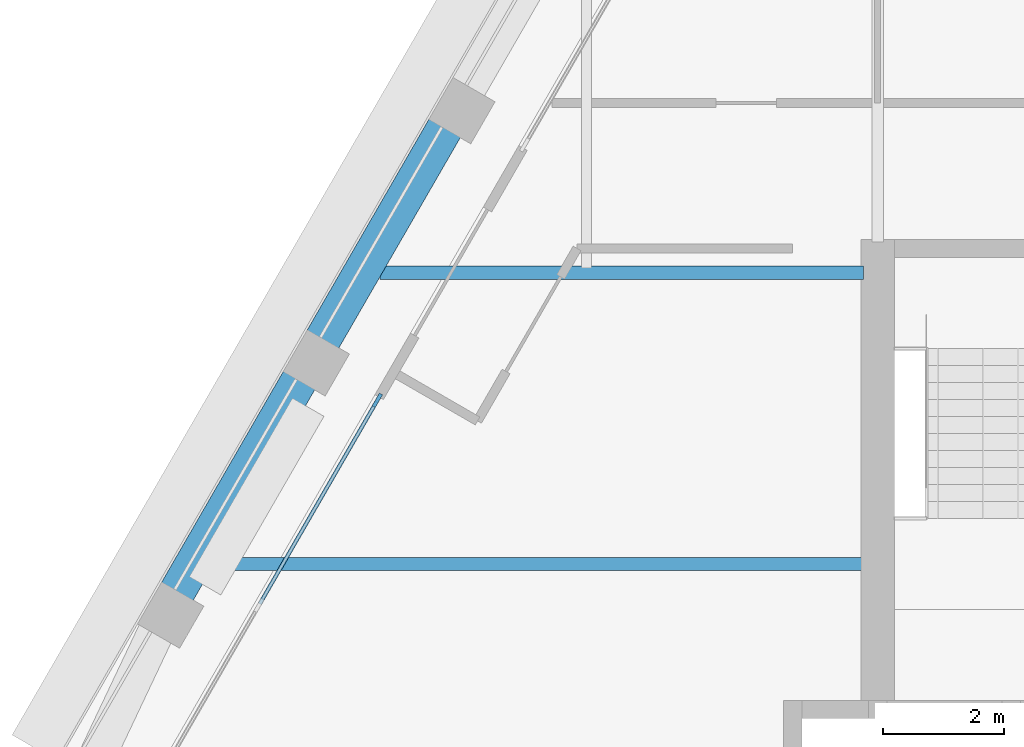
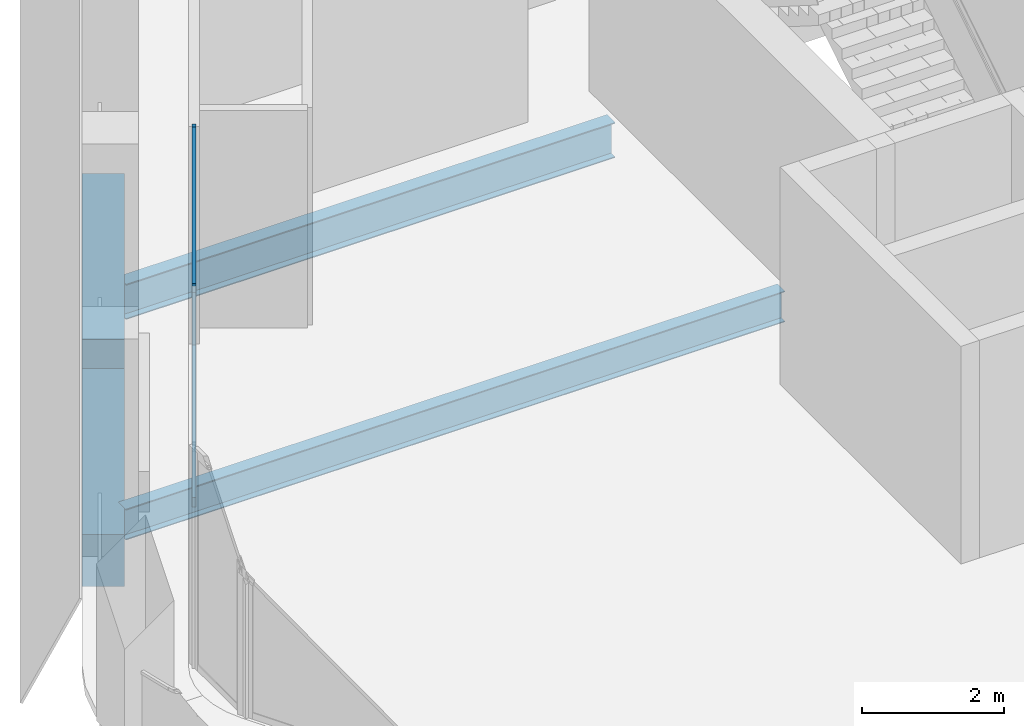
# One storey, part 3 of 14: 4 beams, 3 members, 1 element without a shape of its own.
"""IFC4 building model written with IfcOpenShell, lengths in metres."""

from ifc_helpers import new_model, si_unit, direction, frame, origin, origin_2d, place, context, subcontext, project, spatial, rectangle, i_section, extrude, material, material_profile, profile_set, type_object, element, aggregate, save


model = new_model("IFC4")

# Units and contexts
model_context = context("Model", 3, precision=1e-05, world=origin(), true_north=direction((0.0, 1.0)))
body_context = subcontext(model_context, "Body", "Model", "MODEL_VIEW")
ifc_project = project(units=[si_unit("LENGTHUNIT", "METRE"), si_unit("AREAUNIT", "SQUARE_METRE"), si_unit("VOLUMEUNIT", "CUBIC_METRE"), si_unit("PLANEANGLEUNIT", "RADIAN"), si_unit("MASSUNIT", "GRAM", prefix="KILO")], contexts=[model_context])

# Site, building, storey
site_placement = place(None, origin())
site = spatial("IfcSite", under=ifc_project, at=site_placement, CompositionType="ELEMENT")
building_placement = place(site_placement, origin())
building = spatial("IfcBuilding", under=site, at=building_placement, Name="Kolab Exchange Tower", CompositionType="ELEMENT")
storey_placement = place(building_placement, frame((0.0, 0.0, 261.800048828125)))
storey = spatial("IfcBuildingStorey", under=building, at=storey_placement, Name="L58", CompositionType="ELEMENT", Elevation=261.800048828125)

# Beams
ifc_material_1 = material(Name="Steel S355", Category="steel")
ifc_material_profile_1 = material_profile(ifc_material_1, i_section(OverallWidth=0.208984375, OverallDepth=0.532958984375, WebThickness=0.01025390625, FlangeThickness=0.015625, at=origin_2d()), Name="W530X92")
ifc_profile_set_1 = profile_set([ifc_material_profile_1], Name="Steel S355")
beam_type_1 = type_object("IfcBeamType", Name="FLOOR BEAM W530X92", PredefinedType="BEAM", material=ifc_profile_set_1)
beam_1_placement = place(storey_placement, frame((-20.575927734375, 4.800048828125, -0.41650390625), z_axis=(1.0, 0.0, 0.0), x_axis=(0.0, 1.0, 0.0)))
element("IfcBeam", 1, at=beam_1_placement, inside=storey, type_object=beam_type_1, Name="beam/L58/fr/002", PredefinedType="BEAM", context=body_context, shape_type="SweptSolid", body=[
    extrude(i_section(OverallWidth=0.208984375, OverallDepth=0.532958984375, WebThickness=0.01025390625, FlangeThickness=0.015625, at=origin_2d()), origin(), (0.0, 0.0, 1.0), 10.740966796875),
])
ifc_material_profile_2 = material_profile(ifc_material_1, i_section(OverallWidth=0.22802734375, OverallDepth=0.60791015625, WebThickness=0.01123046875, FlangeThickness=0.017333984375, at=origin_2d()), Name="W610X113")
ifc_profile_set_2 = profile_set([ifc_material_profile_2], Name="Steel S355")
beam_type_2 = type_object("IfcBeamType", Name="FLOOR GIRDER W610X113", PredefinedType="BEAM", material=ifc_profile_set_2)
beam_2_placement = place(storey_placement, frame((-17.8046875, 9.60009765625, -0.4541015625), z_axis=(1.0, 0.0, 0.0), x_axis=(0.0, 1.0, 0.0)))
element("IfcBeam", 2, at=beam_2_placement, inside=storey, type_object=beam_type_2, Name="beam/L58/gd/001", PredefinedType="BEAM", context=body_context, shape_type="SweptSolid", body=[
    extrude(i_section(OverallWidth=0.22802734375, OverallDepth=0.60791015625, WebThickness=0.01123046875, FlangeThickness=0.017333984375, at=origin_2d()), origin(), (0.0, 0.0, 1.0), 7.9697265625),
])
ifc_material_2 = material(Name="Concrete C50/60", Category="concrete")
ifc_material_profile_3 = material_profile(ifc_material_2, rectangle(XDim=0.60009765625, YDim=0.89990234375, at=origin_2d()), Name="RC600X900")
ifc_profile_set_3 = profile_set([ifc_material_profile_3], Name="Concrete C50/60")
beam_type_3 = type_object("IfcBeamType", Name="SPANDREL BEAM 600X900 C50/60", PredefinedType="BEAM", material=ifc_profile_set_3)
for number, where, z_axis, x_axis, name in (
    (3, (-21.16015625, 4.318603515625, -0.60009765625), (0.500000428765, 0.866025156237, 0.0), (-0.866025156237, 0.500000428765, 0.0), "beam/L58/sp/F6-02"),
    (4, (-18.76025390625, 8.4755859375, -0.60009765625), (0.500000428765, 0.866025156237, 0.0), (-0.866025156237, 0.500000428765, 0.0), "beam/L58/sp/F6-03"),
):
    element("IfcBeam", number, at=place(storey_placement, frame(where, z_axis=z_axis, x_axis=x_axis)), inside=storey, type_object=beam_type_3, Name=name, PredefinedType="BEAM", context=body_context, shape_type="SweptSolid", body=[
        extrude(rectangle(XDim=0.60009765625, YDim=0.89990234375, at=origin_2d()), origin(), (0.0, 0.0, 1.0), 4.080078125),
    ])

# Curtain wall, members
ifc_material_3 = material(Name="Aluminium EN AW-6063 T6", Category="aluminium")
curtain_wall_type = type_object("IfcCurtainWallType", Name="UNITISED HIGH ZONE CURTAIN WALL", PredefinedType="NOTDEFINED", material=ifc_material_3)
curtain_wall_placement = place(storey_placement, origin())
curtain_wall = element("IfcCurtainWall", 5, at=curtain_wall_placement, inside=storey, type_object=curtain_wall_type, Name="cw/L58/F6-1", PredefinedType="NOTDEFINED")
ifc_material_profile_4 = material_profile(ifc_material_3, rectangle(XDim=0.06005859375, YDim=0.239990234375, at=origin_2d()), Name="RECT 60X240")
ifc_profile_set_4 = profile_set([ifc_material_profile_4], Name="Aluminium EN AW-6063 T6")
member_type_1 = type_object("IfcMemberType", Name="UNITISED HIGH ZONE MULLION 60 X 240", PredefinedType="MULLION", material=ifc_profile_set_4)
member_1_placement = place(storey_placement, frame((-17.8466796875, 7.497802734375, 0.0), z_axis=(0.0, 0.0, 1.0), x_axis=(-0.866025440524, 0.499999936366, 0.0)))
member_1 = element("IfcMember", 6, at=member_1_placement, type_object=member_type_1, Name="CW4 mullion 3", PredefinedType="MULLION", context=body_context, shape_type="SweptSolid", body=[
    extrude(rectangle(XDim=0.06005859375, YDim=0.239990234375, at=origin_2d()), origin(), (0.0, 0.0, 1.0), 3.75),
])
ifc_material_profile_5 = material_profile(ifc_material_3, rectangle(XDim=0.06005859375, YDim=0.159912109375, at=origin_2d()), Name="RECT 60X160")
ifc_profile_set_5 = profile_set([ifc_material_profile_5], Name="Aluminium EN AW-6063 T6")
member_type_2 = type_object("IfcMemberType", Name="UNITISED HIGH ZONE TRANSOM 60 X 160", PredefinedType="USERDEFINED", material=ifc_profile_set_5)
member_2_placement = place(storey_placement, frame((-19.78369140625, 4.142822265625, 0.030029296875), z_axis=(0.500011990396, 0.866018481016, 0.0), x_axis=(-0.866018481016, 0.500011990396, 0.0)))
member_2 = element("IfcMember", 7, at=member_2_placement, type_object=member_type_2, Name="CW4 transom 2.1", ObjectType="TRANSOM", PredefinedType="USERDEFINED", context=body_context, shape_type="SweptSolid", body=[
    extrude(rectangle(XDim=0.06005859375, YDim=0.159912109375, at=origin_2d()), origin(), (0.0, 0.0, 1.0), 3.84423828125),
])
member_3_placement = place(storey_placement, frame((-19.78369140625, 4.142822265625, 3.719970703125), z_axis=(0.500011990396, 0.866018481016, 0.0), x_axis=(-0.866018481016, 0.500011990396, 0.0)))
member_3 = element("IfcMember", 8, at=member_3_placement, type_object=member_type_2, Name="CW4 transom 2.2", ObjectType="TRANSOM", PredefinedType="USERDEFINED", context=body_context, shape_type="SweptSolid", body=[
    extrude(rectangle(XDim=0.06005859375, YDim=0.159912109375, at=origin_2d()), origin(), (0.0, 0.0, 1.0), 3.84423828125),
])
aggregate(curtain_wall, [member_1, member_2, member_3])

save(model, "model.ifc")
